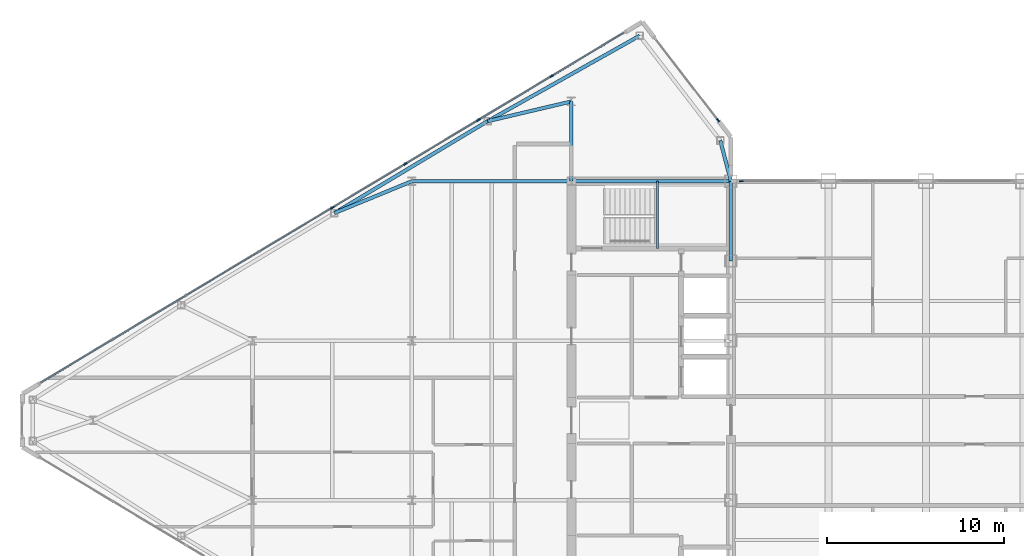
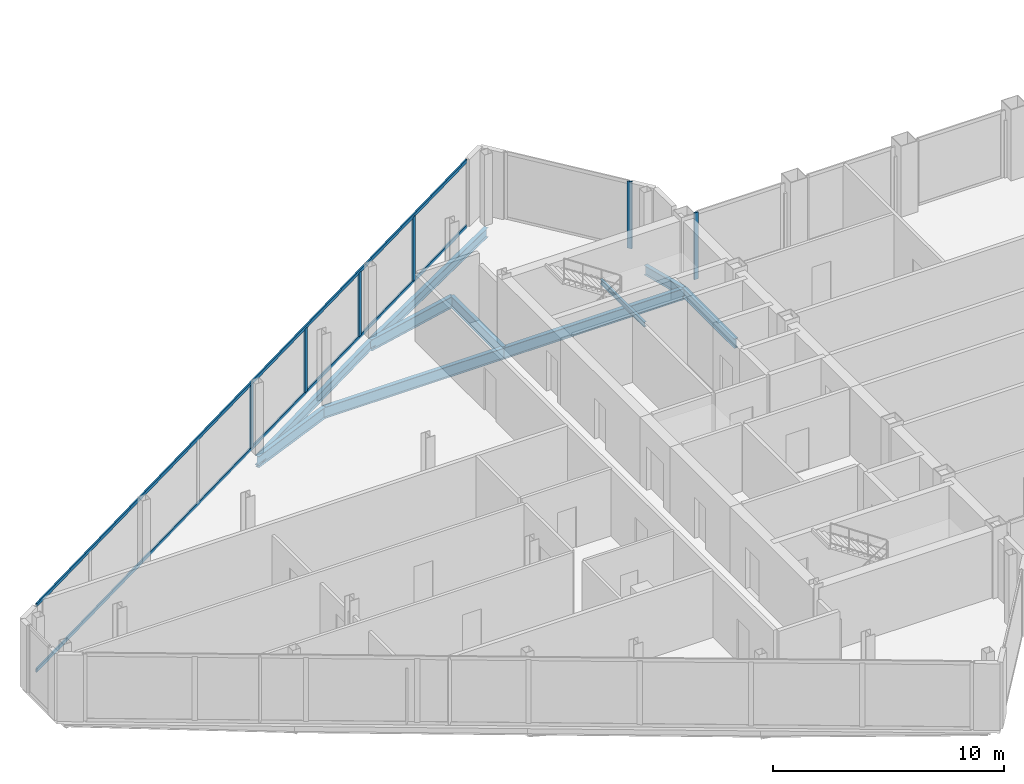
# One storey, part 11 of 29: 10 beams, 8 members, 3 elements without a shape of their own.
"""IFC4 building model written with IfcOpenShell, lengths in metres."""

import ifcopenshell
import ifcopenshell.guid

model = None  # the IFC model being written
_history = None  # IfcOwnerHistory: only IFC2X3 demands one
_inside = {}  # id of a spatial element -> (the spatial element, [elements in it])
_under = {}  # id of a project, library or spatial element -> (it, [spatial elements below it])
_declared = {}  # id of a project -> (the project, [libraries it declares])
_typed = {}  # id of a type object -> (the type object, [elements of that type])
_made_of = {}  # id of a material, layer set ... -> (it, [elements and type objects made of it])


def new_model(schema):
    """Start an empty IFC model of exactly this schema.

    Asked for "IFC4X3", IfcOpenShell would pick the latest addendum, in which some entities
    have other attributes; the version numbers below select the first issue.
    IFC2X3 requires an IfcOwnerHistory on every rooted entity: one is made here for all.
    """
    global model, _history
    if schema == "IFC4X3":
        model = ifcopenshell.file(schema_version=(4, 3, 0, 0))
    else:
        model = ifcopenshell.file(schema=schema)
    _inside.clear()
    _under.clear()
    _declared.clear()
    _typed.clear()
    _made_of.clear()
    _history = None
    if model.schema == "IFC2X3":
        org = make("IfcOrganization", Name="unknown")
        user = make(
            "IfcPersonAndOrganization",
            ThePerson=make("IfcPerson", FamilyName="unknown"),
            TheOrganization=org,
        )
        app = make(
            "IfcApplication",
            ApplicationDeveloper=org,
            Version="unknown",
            ApplicationFullName="unknown",
            ApplicationIdentifier="unknown",
        )
        _history = make(
            "IfcOwnerHistory",
            OwningUser=user,
            OwningApplication=app,
            ChangeAction="ADDED",
            CreationDate=0,
        )
    return model


def make(cls, **values):
    """One entity of the class cls with the attributes given. An attribute that is None is left unset."""
    return model.create_entity(
        cls, **{name: value for name, value in values.items() if value is not None}
    )


def rooted(cls, **values):
    """An entity with a GlobalId (a new one), such as an element, a storey or a relation."""
    return make(cls, GlobalId=ifcopenshell.guid.new(), OwnerHistory=_history, **values)


def si_unit(unit_type, name, prefix=None):
    """IfcSIUnit, for example si_unit("LENGTHUNIT", "METRE", prefix="MILLI")."""
    return make("IfcSIUnit", UnitType=unit_type, Prefix=prefix, Name=name)


def assignment(units):
    """IfcUnitAssignment: the units of a project."""
    return None if units is None else make("IfcUnitAssignment", Units=units)


def point(xyz):
    """IfcCartesianPoint."""
    return None if xyz is None else make("IfcCartesianPoint", Coordinates=xyz)


def direction(xyz):
    """IfcDirection."""
    return None if xyz is None else make("IfcDirection", DirectionRatios=xyz)


def frame(location, z_axis=None, x_axis=None):
    """IfcAxis2Placement3D, a coordinate frame: its origin and axes. An axis left out is left unset."""
    return make(
        "IfcAxis2Placement3D",
        Location=point(location),
        Axis=direction(z_axis),
        RefDirection=direction(x_axis),
    )


def frame_2d(location, x_axis=None):
    """IfcAxis2Placement2D, a coordinate frame in the plane: its origin and x axis."""
    return make(
        "IfcAxis2Placement2D", Location=point(location), RefDirection=direction(x_axis)
    )


def origin():
    """The frame at (0, 0, 0) with its axes left unset."""
    return frame((0.0, 0.0, 0.0))


def origin_2d():
    """The frame at (0, 0) in the plane with its x axis left unset."""
    return frame_2d((0.0, 0.0))


def place(relative_to, where):
    """IfcLocalPlacement: puts the frame where relative to a parent placement (None: the world)."""
    return make(
        "IfcLocalPlacement", PlacementRelTo=relative_to, RelativePlacement=where
    )


def context(
    kind, dimensions, precision=None, world=None, true_north=None, identifier=None
):
    """IfcGeometricRepresentationContext, for example the 3D "Model" context."""
    return make(
        "IfcGeometricRepresentationContext",
        ContextIdentifier=identifier,
        ContextType=kind,
        CoordinateSpaceDimension=dimensions,
        Precision=precision,
        WorldCoordinateSystem=world,
        TrueNorth=true_north,
    )


def subcontext(parent, identifier, kind, view, scale=None):
    """IfcGeometricRepresentationSubContext, for example "Body" below "Model"."""
    return make(
        "IfcGeometricRepresentationSubContext",
        ContextIdentifier=identifier,
        ContextType=kind,
        ParentContext=parent,
        TargetScale=scale,
        TargetView=view,
    )


def project(units=None, contexts=None):
    """IfcProject with its units and contexts."""
    return rooted(
        "IfcProject",
        Name="project",
        RepresentationContexts=contexts,
        UnitsInContext=assignment(units),
    )


def spatial(cls, under=None, at=None, **own):
    """A site, building, storey or space (cls), placed at a placement, below another one or the project."""
    s = rooted(cls, ObjectPlacement=at, **own)
    if under is not None:
        _under.setdefault(under.id(), (under, []))[1].append(s)
    return s


def profile(cls, at=None, kind="AREA", **sizes):
    """A parametric profile (cls). Its sizes go by their IFC names, for example OverallWidth=200.0."""
    return make(cls, ProfileType=kind, Position=at, **sizes)


def rectangle(**sizes):
    """IfcRectangleProfileDef."""
    return profile("IfcRectangleProfileDef", **sizes)


def i_section(**sizes):
    """IfcIShapeProfileDef."""
    return profile("IfcIShapeProfileDef", **sizes)


def extrude(swept, where, along, depth):
    """IfcExtrudedAreaSolid: the profile swept, set in the frame where, extruded along a direction by depth."""
    return make(
        "IfcExtrudedAreaSolid",
        SweptArea=swept,
        Position=where,
        ExtrudedDirection=direction(along),
        Depth=depth,
    )


def shape(context_of_items, identifier, shape_type, items):
    """IfcShapeRepresentation: the items that make up one representation, for example the "Body"."""
    return make(
        "IfcShapeRepresentation",
        ContextOfItems=context_of_items,
        RepresentationIdentifier=identifier,
        RepresentationType=shape_type,
        Items=items,
    )


def source(mapping_origin, context_of_items, identifier, shape_type, items):
    """IfcRepresentationMap: a shape defined once, which mapped items show again and again."""
    return make(
        "IfcRepresentationMap",
        MappingOrigin=mapping_origin,
        MappedRepresentation=shape(context_of_items, identifier, shape_type, items),
    )


def transform(
    local_origin,
    x_axis=None,
    y_axis=None,
    z_axis=None,
    scale=None,
    scale2=None,
    scale3=None,
    uniform=True,
):
    """IfcCartesianTransformationOperator3D, or its non-uniform kind. x_axis, y_axis, z_axis: its Axis1, 2, 3."""
    if uniform:
        return make(
            "IfcCartesianTransformationOperator3D",
            Axis1=direction(x_axis),
            Axis2=direction(y_axis),
            LocalOrigin=point(local_origin),
            Scale=scale,
            Axis3=direction(z_axis),
        )
    return make(
        "IfcCartesianTransformationOperator3DnonUniform",
        Axis1=direction(x_axis),
        Axis2=direction(y_axis),
        LocalOrigin=point(local_origin),
        Scale=scale,
        Axis3=direction(z_axis),
        Scale2=scale2,
        Scale3=scale3,
    )


def mapped(mapping_source, mapping_target):
    """IfcMappedItem: shows the shape of a source again, moved by a transform."""
    return make(
        "IfcMappedItem", MappingSource=mapping_source, MappingTarget=mapping_target
    )


def material(Name=None, Category=None):
    """IfcMaterial."""
    return make("IfcMaterial", Name=Name, Category=Category)


def layer(
    of_material, thickness, ventilated=None, Name=None, Category=None, Priority=None
):
    """IfcMaterialLayer: one layer of a wall or slab, of a material (None: an air gap)."""
    return make(
        "IfcMaterialLayer",
        Material=of_material,
        LayerThickness=thickness,
        IsVentilated=ventilated,
        Name=Name,
        Category=Category,
        Priority=Priority,
    )


def layer_set(layers, Name=None):
    """IfcMaterialLayerSet."""
    return make("IfcMaterialLayerSet", MaterialLayers=layers, LayerSetName=Name)


def material_profile(
    of_material, cross_section, Name=None, Category=None, Priority=None
):
    """IfcMaterialProfile: a cross section and its material."""
    return make(
        "IfcMaterialProfile",
        Name=Name,
        Material=of_material,
        Profile=cross_section,
        Priority=Priority,
        Category=Category,
    )


def profile_set(profiles, Name=None, composite=None):
    """IfcMaterialProfileSet."""
    return make(
        "IfcMaterialProfileSet",
        Name=Name,
        MaterialProfiles=profiles,
        CompositeProfile=composite,
    )


def made_of(thing, what):
    """Note that an element or type object is made of a material, layer set ...; save() writes the relation."""
    if what is not None:
        _made_of.setdefault(what.id(), (what, []))[1].append(thing)
    return thing


def type_object(cls, material=None, **own):
    """A type object (cls), such as IfcWallType, which elements share."""
    return made_of(rooted(cls, **own), material)


def type_shapes(of_type, sources):
    """Give a type object the sources (RepresentationMaps) that its elements show as mapped items."""
    of_type.RepresentationMaps = sources


def element(
    cls,
    number,
    at=None,
    inside=None,
    cuts=None,
    type_object=None,
    material=None,
    context=None,
    identifier="Body",
    shape_type=None,
    held_by="IfcProductDefinitionShape",
    body=None,
    shapes=None,
    **own,
):
    """One element of the class cls, such as IfcWall. Its Tag is "e" and its number.

    at: its placement. inside: the storey or other place that contains it. cuts: it is an
    opening in that element (IfcRelVoidsElement). A single representation is given by context,
    identifier, shape_type and body (its items); several are given by shapes. held_by: the class
    of the entity that holds the representations. save() writes the other relations.
    """
    e = rooted(cls, Tag="e%d" % number, ObjectPlacement=at, **own)
    if body is not None:
        shapes = [shape(context, identifier, shape_type, body)]
    if shapes is not None:
        e.Representation = make(held_by, Representations=shapes)
    if inside is not None:
        _inside.setdefault(inside.id(), (inside, []))[1].append(e)
    if cuts is not None:
        rooted(
            "IfcRelVoidsElement", RelatingBuildingElement=cuts, RelatedOpeningElement=e
        )
    if type_object is not None:
        _typed.setdefault(type_object.id(), (type_object, []))[1].append(e)
    return made_of(e, material)


def aggregate(whole, parts):
    """IfcRelAggregates: a whole, such as a stair, and the parts it consists of."""
    return rooted("IfcRelAggregates", RelatingObject=whole, RelatedObjects=parts)


def save(model, path):
    """Write the relations noted so far, then the file.

    IfcRelAggregates (storeys below a building ...), IfcRelContainedInSpatialStructure (elements
    in a storey), IfcRelDefinesByType, IfcRelAssociatesMaterial and IfcRelDeclares: one each for
    every whole, place, type object, material and project.
    """
    for whole, parts in _under.values():
        aggregate(whole, parts)
    for where, things in _inside.values():
        rooted(
            "IfcRelContainedInSpatialStructure",
            RelatedElements=things,
            RelatingStructure=where,
        )
    for kind, things in _typed.values():
        rooted("IfcRelDefinesByType", RelatedObjects=things, RelatingType=kind)
    for what, things in _made_of.values():
        rooted("IfcRelAssociatesMaterial", RelatedObjects=things, RelatingMaterial=what)
    for by, libraries in _declared.values():
        rooted("IfcRelDeclares", RelatingContext=by, RelatedDefinitions=libraries)
    model.write(path)


model = new_model("IFC4")

# Units and contexts
model_context = context("Model", 3, precision=1e-05, world=origin(), true_north=direction((0.0, 1.0)))
body_context = subcontext(model_context, "Body", "Model", "MODEL_VIEW")
ifc_project = project(units=[si_unit("LENGTHUNIT", "METRE"), si_unit("AREAUNIT", "SQUARE_METRE"), si_unit("VOLUMEUNIT", "CUBIC_METRE"), si_unit("PLANEANGLEUNIT", "RADIAN"), si_unit("MASSUNIT", "GRAM", prefix="KILO")], contexts=[model_context])

# Site, building, storey
site_placement = place(None, origin())
site = spatial("IfcSite", under=ifc_project, at=site_placement, CompositionType="ELEMENT")
building_placement = place(site_placement, origin())
building = spatial("IfcBuilding", under=site, at=building_placement, Name="Seokmaru Belvedere", CompositionType="ELEMENT")
storey_placement = place(building_placement, frame((0.0, 0.0, 250.64990234375)))
storey = spatial("IfcBuildingStorey", under=building, at=storey_placement, Name="L66", CompositionType="ELEMENT", Elevation=250.64990234375)

# Beams
ifc_material_1 = material(Name="Steel SM355 (355 MPa)", Category="steel")
ifc_material_profile_1 = material_profile(ifc_material_1, i_section(OverallWidth=0.199951171875, OverallDepth=0.5, WebThickness=0.010009765625, FlangeThickness=0.01611328125, at=origin_2d()), Name="H-500x200x10x16")
ifc_profile_set_1 = profile_set([ifc_material_profile_1], Name="Steel SM355 (355 MPa)")
beam_type_1 = type_object("IfcBeamType", Name="Perimeter Spandrel Beam H-500", PredefinedType="SPANDREL", material=ifc_profile_set_1)
shared_shape_1 = source(origin(), body_context, "Body", "SweptSolid", [
    extrude(i_section(OverallWidth=0.199951171875, OverallDepth=0.5, WebThickness=0.010009765625, FlangeThickness=0.01611328125, at=origin_2d()), origin(), (0.0, 0.0, 1.0), 4.5),
])
beam_1_placement = place(storey_placement, frame((-27.5, 9.0, -0.469970703125), z_axis=(0.0, 1.0, 0.0), x_axis=(-1.0, 0.0, 0.0)))
element("IfcBeam", 1, at=beam_1_placement, inside=storey, type_object=beam_type_1, Name="L66 W Portal Spine Spandrel 5", PredefinedType="SPANDREL", context=body_context, shape_type="MappedRepresentation", body=[
    mapped(shared_shape_1, transform((0.0, 0.0, 0.0), scale=1.0)),
])
ifc_material_profile_2 = material_profile(ifc_material_1, i_section(OverallWidth=0.199951171875, OverallDepth=0.60009765625, WebThickness=0.010986328125, FlangeThickness=0.01708984375, at=origin_2d()), Name="H-600x200x11x17")
ifc_profile_set_2 = profile_set([ifc_material_profile_2], Name="Steel SM355 (355 MPa)")
beam_type_2 = type_object("IfcBeamType", Name="Primary Floor Girder H-600", PredefinedType="BEAM", material=ifc_profile_set_2)
shared_shape_2 = source(origin(), body_context, "Body", "SweptSolid", [
    extrude(i_section(OverallWidth=0.199951171875, OverallDepth=0.60009765625, WebThickness=0.010986328125, FlangeThickness=0.01708984375, at=origin_2d()), origin(), (0.0, 0.0, 1.0), 9.0),
])
for number, where, z_axis, x_axis, name in (
    (2, (-36.5, 13.5, -0.52001953125), (1.0, 0.0, 0.0), (0.0, 1.0, 0.0), "L66 W Core Tie Girder 4"),
    (3, (-45.5, 13.5, -0.52001953125), (1.0, 0.0, 0.0), (0.0, 1.0, 0.0), "L66 W Wing Primary Girder 4"),
):
    element("IfcBeam", number, at=place(storey_placement, frame(where, z_axis=z_axis, x_axis=x_axis)), inside=storey, type_object=beam_type_2, Name=name, PredefinedType="BEAM", context=body_context, shape_type="MappedRepresentation", body=[
        mapped(shared_shape_2, transform((0.0, 0.0, 0.0), scale=1.0)),
    ])
shared_shape_3 = source(origin(), body_context, "Body", "SweptSolid", [
    extrude(i_section(OverallWidth=0.199951171875, OverallDepth=0.60009765625, WebThickness=0.010986328125, FlangeThickness=0.01708984375, at=origin_2d()), origin(), (0.0, 0.0, 1.0), 4.5),
])
beam_2_placement = place(storey_placement, frame((-36.5, 13.5, -0.52001953125), z_axis=(0.0, 1.0, 0.0), x_axis=(-1.0, 0.0, 0.0)))
element("IfcBeam", 4, at=beam_2_placement, inside=storey, type_object=beam_type_2, Name="L66 W Core Shoulder Girder N", PredefinedType="BEAM", context=body_context, shape_type="MappedRepresentation", body=[
    mapped(shared_shape_3, transform((0.0, 0.0, 0.0), scale=1.0)),
])
shared_shape_4 = source(origin(), body_context, "Body", "SweptSolid", [
    extrude(i_section(OverallWidth=0.199951171875, OverallDepth=0.5, WebThickness=0.010009765625, FlangeThickness=0.01611328125, at=origin_2d()), origin(), (0.0, 0.0, 1.0), 9.842041015625),
])
beam_3_placement = place(storey_placement, frame((-32.649658203125, 21.71044921875, -0.469970703125), z_axis=(-0.871782151818, -0.489893743349, 0.0), x_axis=(0.489893743349, -0.871782151818, 0.0)))
element("IfcBeam", 5, at=beam_3_placement, inside=storey, type_object=beam_type_1, Name="L66 W Faceted Flank Spandrel N-1", PredefinedType="SPANDREL", context=body_context, shape_type="MappedRepresentation", body=[
    mapped(shared_shape_4, transform((0.0, 0.0, 0.0), scale=1.0)),
])
shared_shape_5 = source(origin(), body_context, "Body", "SweptSolid", [
    extrude(i_section(OverallWidth=0.199951171875, OverallDepth=0.5, WebThickness=0.010009765625, FlangeThickness=0.01611328125, at=origin_2d()), origin(), (0.0, 0.0, 1.0), 10.087646484375),
])
beam_4_placement = place(storey_placement, frame((-41.229736328125, 16.888916015625, -0.469970703125), z_axis=(-0.857499332045, -0.514485078056, 0.0), x_axis=(0.514485078056, -0.857499332045, 0.0)))
element("IfcBeam", 6, at=beam_4_placement, inside=storey, type_object=beam_type_1, Name="L66 W Faceted Flank Spandrel N-2", PredefinedType="SPANDREL", context=body_context, shape_type="MappedRepresentation", body=[
    mapped(shared_shape_5, transform((0.0, 0.0, 0.0), scale=1.0)),
])
shared_shape_6 = source(origin(), body_context, "Body", "SweptSolid", [
    extrude(i_section(OverallWidth=0.199951171875, OverallDepth=0.5, WebThickness=0.010009765625, FlangeThickness=0.01611328125, at=origin_2d()), origin(), (0.0, 0.0, 1.0), 2.373046875),
])
type_shapes(beam_type_1, [shared_shape_1, shared_shape_4, shared_shape_5, shared_shape_6])
beam_5_placement = place(storey_placement, frame((-28.10009765625, 15.7958984375, -0.469970703125), z_axis=(0.252882558842, -0.967496982648, 0.0), x_axis=(0.967496982648, 0.252882558842, 0.0)))
element("IfcBeam", 7, at=beam_5_placement, inside=storey, type_object=beam_type_1, Name="L66 W Shoulder Spine Spandrel N", PredefinedType="SPANDREL", context=body_context, shape_type="MappedRepresentation", body=[
    mapped(shared_shape_6, transform((0.0, 0.0, 0.0), scale=1.0)),
])
shared_shape_7 = source(origin(), body_context, "Body", "SweptSolid", [
    extrude(i_section(OverallWidth=0.199951171875, OverallDepth=0.60009765625, WebThickness=0.010986328125, FlangeThickness=0.01708984375, at=origin_2d()), origin(), (0.0, 0.0, 1.0), 4.8583984375),
])
beam_6_placement = place(storey_placement, frame((-41.229736328125, 16.888916015625, -0.52001953125), z_axis=(0.97349948295, 0.228689214211, 0.0), x_axis=(-0.228689214211, 0.97349948295, 0.0)))
element("IfcBeam", 8, at=beam_6_placement, inside=storey, type_object=beam_type_2, Name="L66 W Flank Radial Floor Girder N-1", PredefinedType="BEAM", context=body_context, shape_type="MappedRepresentation", body=[
    mapped(shared_shape_7, transform((0.0, 0.0, 0.0), scale=1.0)),
])
shared_shape_8 = source(origin(), body_context, "Body", "SweptSolid", [
    extrude(i_section(OverallWidth=0.199951171875, OverallDepth=0.60009765625, WebThickness=0.010986328125, FlangeThickness=0.01708984375, at=origin_2d()), origin(), (0.0, 0.0, 1.0), 4.73583984375),
])
type_shapes(beam_type_2, [shared_shape_2, shared_shape_3, shared_shape_7, shared_shape_8])
beam_7_placement = place(storey_placement, frame((-49.8798828125, 11.698974609375, -0.52001953125), z_axis=(0.924860562953, 0.380306375301, 0.0), x_axis=(-0.380306375301, 0.924860562953, 0.0)))
element("IfcBeam", 9, at=beam_7_placement, inside=storey, type_object=beam_type_2, Name="L66 W Flank Radial Floor Girder N-2", PredefinedType="BEAM", context=body_context, shape_type="MappedRepresentation", body=[
    mapped(shared_shape_8, transform((0.0, 0.0, 0.0), scale=1.0)),
])

# Curtain wall, members
ifc_material_2 = material(Name="Bronze Triple Insulating Glass", Category="glass")
ifc_layer = layer(ifc_material_2, 0.219970703125)
ifc_layer_set = layer_set([ifc_layer], Name="Bronze Triple Insulating Glass")
curtain_wall_type = type_object("IfcCurtainWallType", Name="Sky-Gate Bridge Panorama Curtain Wall System CW-6", PredefinedType="NOTDEFINED", material=ifc_layer_set)
curtain_wall_1_placement = place(storey_placement, origin())
curtain_wall_1 = element("IfcCurtainWall", 10, at=curtain_wall_1_placement, inside=storey, type_object=curtain_wall_type, Name="L66 Curtain Wall WF3", PredefinedType="NOTDEFINED")
ifc_material_3 = material(Name="Anodised Bronze Aluminium", Category="aluminium")
ifc_material_profile_3 = material_profile(ifc_material_3, rectangle(XDim=0.074951171875, YDim=0.179931640625, at=origin_2d()), Name="CW-T-75x180")
ifc_profile_set_3 = profile_set([ifc_material_profile_3], Name="Anodised Bronze Aluminium")
member_type_1 = type_object("IfcMemberType", Name="Bronze Unitised Transom 75x180", PredefinedType="USERDEFINED", material=ifc_profile_set_3)
shared_shape_9 = source(origin(), body_context, "Body", "SweptSolid", [
    extrude(rectangle(XDim=0.074951171875, YDim=0.179931640625, at=origin_2d()), origin(), (0.0, 0.0, 1.0), 38.356689453125),
])
type_shapes(member_type_1, [shared_shape_9])
member_1_placement = place(storey_placement, frame((-33.5546875, 21.8671875, 0.03759765625), z_axis=(-0.857492925713, -0.514495755428, 0.0), x_axis=(0.514495755428, -0.857492925713, 0.0)))
member_1 = element("IfcMember", 11, at=member_1_placement, type_object=member_type_1, Name="CW:L66:WF3 Continuous Transom 1", ObjectType="TRANSOM", PredefinedType="USERDEFINED", context=body_context, shape_type="MappedRepresentation", body=[
    mapped(shared_shape_9, transform((0.0, 0.0, 0.0), scale=1.0)),
])
member_2_placement = place(storey_placement, frame((-33.5546875, 21.8671875, 3.49267578125), z_axis=(-0.857492925713, -0.514495755428, 0.0), x_axis=(0.514495755428, -0.857492925713, 0.0)))
member_2 = element("IfcMember", 12, at=member_2_placement, type_object=member_type_1, Name="CW:L66:WF3 Continuous Transom 2", ObjectType="TRANSOM", PredefinedType="USERDEFINED", context=body_context, shape_type="MappedRepresentation", body=[
    mapped(shared_shape_9, transform((0.0, 0.0, 0.0), scale=1.0)),
])

# Curtain wall, member
curtain_wall_2_placement = place(storey_placement, origin())
curtain_wall_2 = element("IfcCurtainWall", 13, at=curtain_wall_2_placement, inside=storey, type_object=curtain_wall_type, Name="L66 Curtain Wall WF2", PredefinedType="NOTDEFINED")
ifc_material_profile_4 = material_profile(ifc_material_3, rectangle(XDim=0.080078125, YDim=0.219970703125, at=origin_2d()), Name="CW-M-80x220")
ifc_profile_set_4 = profile_set([ifc_material_profile_4], Name="Anodised Bronze Aluminium")
member_type_2 = type_object("IfcMemberType", Name="Bronze Unitised Mullion 80x220", PredefinedType="MULLION", material=ifc_profile_set_4)
shared_shape_10 = source(origin(), body_context, "Body", "SweptSolid", [
    extrude(rectangle(XDim=0.080078125, YDim=0.219970703125, at=origin_2d()), origin(), (0.0, 0.0, 1.0), 3.530029296875),
])
member_3_placement = place(storey_placement, frame((-28.2255859375, 16.943115234375, 0.0), z_axis=(0.0, 0.0, 1.0), x_axis=(-0.792631353244, -0.609701187349, 0.0)))
member_3 = element("IfcMember", 14, at=member_3_placement, type_object=member_type_2, Name="CW:L66:WF2 Mullion 1", PredefinedType="MULLION", context=body_context, shape_type="MappedRepresentation", body=[
    mapped(shared_shape_10, transform((0.0, 0.0, 0.0), scale=1.0)),
])
aggregate(curtain_wall_2, [member_3])

curtain_wall_3_placement = place(storey_placement, origin())
curtain_wall_3 = element("IfcCurtainWall", 15, at=curtain_wall_3_placement, inside=storey, type_object=curtain_wall_type, Name="L66 Curtain Wall BR_N01", PredefinedType="NOTDEFINED")
member_4_placement = place(storey_placement, frame((-26.909912109375, 13.5, 0.0), z_axis=(0.0, 0.0, 1.0), x_axis=(0.0, -1.0, 0.0)))
member_4 = element("IfcMember", 16, at=member_4_placement, type_object=member_type_2, Name="CW:L66:BR_N01 Mullion 2", PredefinedType="MULLION", context=body_context, shape_type="MappedRepresentation", body=[
    mapped(shared_shape_10, transform((0.0, 0.0, 0.0), scale=1.0)),
])
aggregate(curtain_wall_3, [member_4])

# Member
shared_shape_11 = source(origin(), body_context, "Body", "SweptSolid", [
    extrude(rectangle(XDim=0.080078125, YDim=0.219970703125, at=origin_2d()), origin(), (0.0, 0.0, 1.0), 3.3798828125),
])
type_shapes(member_type_2, [shared_shape_10, shared_shape_11])
member_5_placement = place(storey_placement, frame((-37.614501953125, 19.43115234375, 0.0751953125), z_axis=(0.0, 0.0, 1.0), x_axis=(0.514494909364, -0.85749343335, 0.0)))
member_5 = element("IfcMember", 17, at=member_5_placement, type_object=member_type_2, Name="CW:L66:WF3 Mullion 2", PredefinedType="MULLION", context=body_context, shape_type="MappedRepresentation", body=[
    mapped(shared_shape_11, transform((0.0, 0.0, 0.0), scale=1.0)),
])

member_6_placement = place(storey_placement, frame((-41.7431640625, 16.9541015625, 0.0751953125), z_axis=(0.0, 0.0, 1.0), x_axis=(0.514494909364, -0.85749343335, 0.0)))
member_6 = element("IfcMember", 18, at=member_6_placement, type_object=member_type_2, Name="CW:L66:WF3 Mullion 3", PredefinedType="MULLION", context=body_context, shape_type="MappedRepresentation", body=[
    mapped(shared_shape_11, transform((0.0, 0.0, 0.0), scale=1.0)),
])

member_7_placement = place(storey_placement, frame((-45.87158203125, 14.47705078125, 0.0751953125), z_axis=(0.0, 0.0, 1.0), x_axis=(0.514494909364, -0.85749343335, 0.0)))
member_7 = element("IfcMember", 19, at=member_7_placement, type_object=member_type_2, Name="CW:L66:WF3 Mullion 4", PredefinedType="MULLION", context=body_context, shape_type="MappedRepresentation", body=[
    mapped(shared_shape_11, transform((0.0, 0.0, 0.0), scale=1.0)),
])

member_8_placement = place(storey_placement, frame((-50.0, 12.0, 0.0751953125), z_axis=(0.0, 0.0, 1.0), x_axis=(0.514494909364, -0.85749343335, 0.0)))
member_8 = element("IfcMember", 20, at=member_8_placement, type_object=member_type_2, Name="CW:L66:WF3 Mullion 5", PredefinedType="MULLION", context=body_context, shape_type="MappedRepresentation", body=[
    mapped(shared_shape_11, transform((0.0, 0.0, 0.0), scale=1.0)),
])

aggregate(curtain_wall_1, [member_5, member_6, member_7, member_8, member_1, member_2])

# Beam
ifc_material_profile_5 = material_profile(ifc_material_1, i_section(OverallWidth=0.125, OverallDepth=0.25, WebThickness=0.006103515625, FlangeThickness=0.009033203125, at=origin_2d()), Name="H-250x125x6x9")
ifc_profile_set_5 = profile_set([ifc_material_profile_5], Name="Steel SM355 (355 MPa)")
beam_type_3 = type_object("IfcBeamType", Name="Stair Mid-Landing Support Beam H-250", PredefinedType="JOIST", material=ifc_profile_set_5)
shared_shape_12 = source(origin(), body_context, "Body", "SweptSolid", [
    extrude(i_section(OverallWidth=0.125, OverallDepth=0.25, WebThickness=0.006103515625, FlangeThickness=0.009033203125, at=origin_2d()), origin(), (0.0, 0.0, 1.0), 3.800048828125),
])
type_shapes(beam_type_3, [shared_shape_12])
beam_8_placement = place(storey_placement, frame((-31.64990234375, 9.699951171875, 1.550048828125), z_axis=(0.0, 1.0, 0.0), x_axis=(-1.0, 0.0, 0.0)))
element("IfcBeam", 21, at=beam_8_placement, inside=storey, type_object=beam_type_3, Name="L66 Stair ST-W2 Mid-Landing Support Beam 1", PredefinedType="JOIST", context=body_context, shape_type="MappedRepresentation", body=[
    mapped(shared_shape_12, transform((0.0, 0.0, 0.0), scale=1.0)),
])

save(model, "model.ifc")
